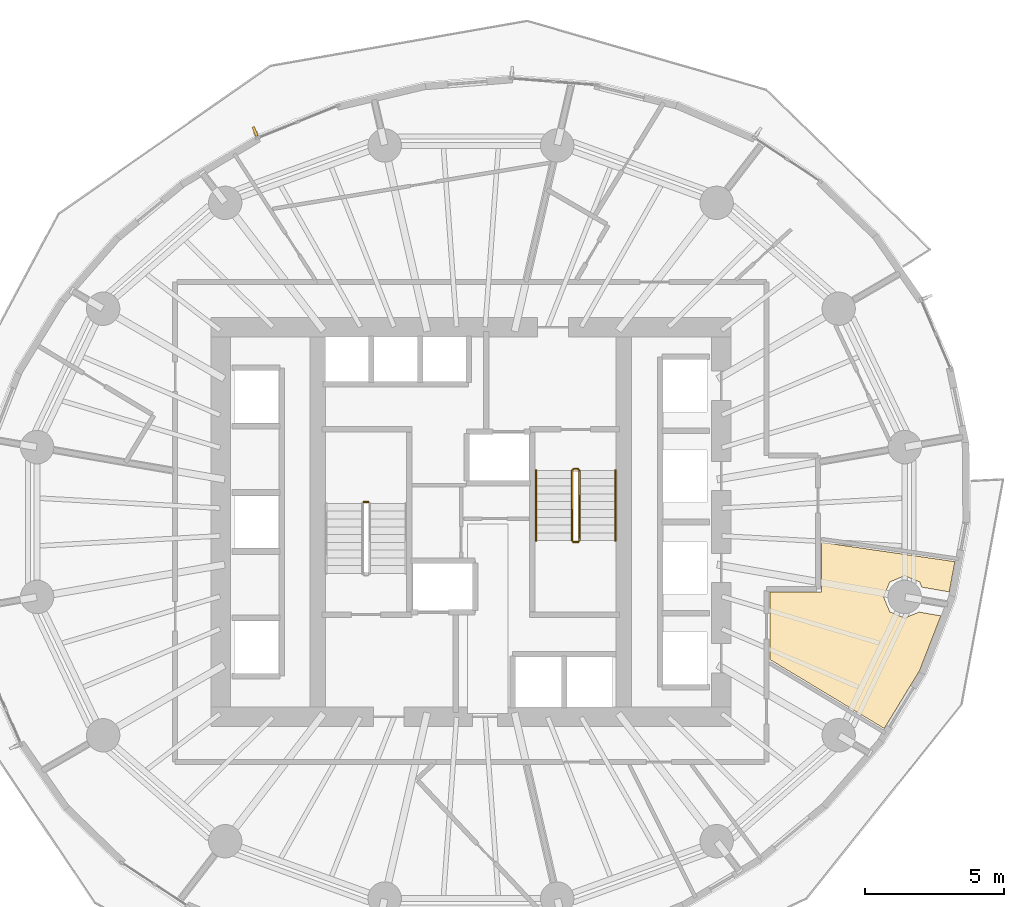
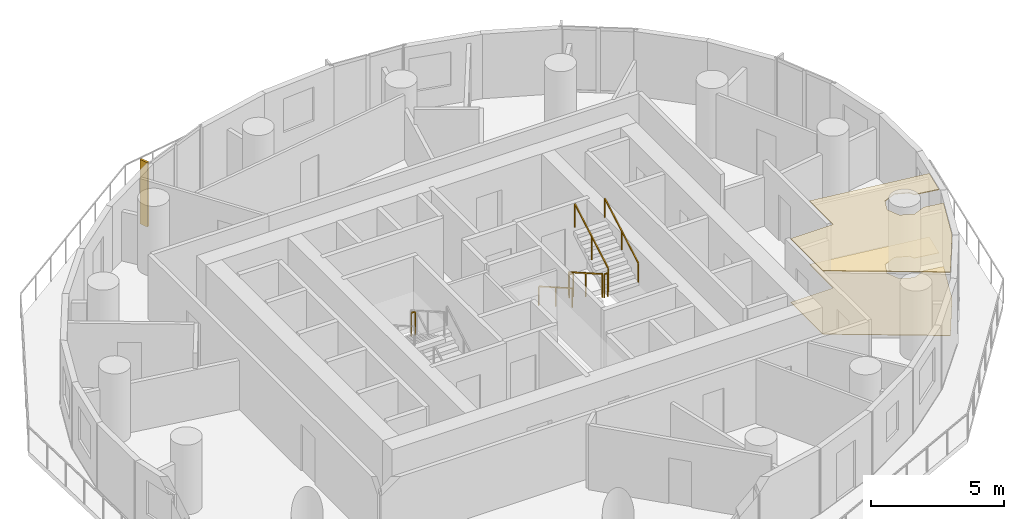
# One storey, part 13 of 14: 7 railings, 2 coverings, 1 shading device.
"""IFC4 building model written with IfcOpenShell, lengths in metres."""

from ifc_helpers import new_model, si_unit, direction, frame, origin, origin_2d, place, context, subcontext, project, spatial, polyline, rectangle, outline, extrude, material, layer, layer_set, type_object, element, save


model = new_model("IFC4")

# Units and contexts
model_context = context("Model", 3, precision=1e-05, world=origin(), true_north=direction((0.0, 1.0)))
body_context = subcontext(model_context, "Body", "Model", "MODEL_VIEW")
ifc_project = project(units=[si_unit("LENGTHUNIT", "METRE"), si_unit("AREAUNIT", "SQUARE_METRE"), si_unit("VOLUMEUNIT", "CUBIC_METRE"), si_unit("PLANEANGLEUNIT", "RADIAN"), si_unit("MASSUNIT", "GRAM", prefix="KILO")], contexts=[model_context])

# Site, building, storey
site_placement = place(None, origin())
site = spatial("IfcSite", under=ifc_project, at=site_placement, CompositionType="ELEMENT")
building_placement = place(site_placement, origin())
building = spatial("IfcBuilding", under=site, at=building_placement, Name="Veldorim Arch Residences", CompositionType="ELEMENT")
storey_placement = place(building_placement, frame((0.0, 0.0, 80.47998046875)))
storey = spatial("IfcBuildingStorey", under=building, at=storey_placement, Name="L23", CompositionType="ELEMENT", Elevation=80.47998046875)

# Railings
ifc_material_1 = material(Name="Steel S355", Category="steel")
railing_type_1 = type_object("IfcRailingType", Name="Galvanised Steel Stair Safety Guardrail 1100", PredefinedType="GUARDRAIL", material=ifc_material_1)
railing_1_placement = place(storey_placement, frame((28.31005859375, 24.719970703125, 1.60009765625)))
element("IfcRailing", 1, at=railing_1_placement, inside=storey, type_object=railing_type_1, Name="L23 ST-1 stair guard 2", PredefinedType="GUARDRAIL", context=body_context, shape_type="SweptSolid", body=[
    extrude(rectangle(XDim=0.048095703125, YDim=0.048095703125, at=origin_2d()), frame((0.0, 0.0, 1.076171875), z_axis=(-1.0, 0.0, 0.0), x_axis=(0.0, -1.0, 0.0)), (0.0, 0.0, 1.0), 0.16015625),
    extrude(rectangle(XDim=0.0419921875, YDim=0.0419921875, at=origin_2d()), origin(), (0.0, 0.0, 1.0), 1.052001953125),
    extrude(rectangle(XDim=0.0419921875, YDim=0.0419921875, at=origin_2d()), frame((-0.16015625, 0.0, 0.0)), (0.0, 0.0, 1.0), 1.052001953125),
])
railing_2_placement = place(storey_placement, frame((35.639892578125, 25.85009765625, 0.159912109375)))
element("IfcRailing", 2, at=railing_2_placement, inside=storey, type_object=railing_type_1, Name="L23 ST-2 stair guard 1", PredefinedType="GUARDRAIL", context=body_context, shape_type="SweptSolid", body=[
    extrude(rectangle(XDim=0.048095703125, YDim=0.048095703125, at=origin_2d()), frame((0.0, 0.0, 1.076171875), z_axis=(0.0, -0.868217259934, 0.496184229447), x_axis=(1.0, 0.0, 0.0)), (0.0, 0.0, 1.0), 2.902587890625),
    extrude(rectangle(XDim=0.0419921875, YDim=0.0419921875, at=origin_2d()), origin(), (0.0, 0.0, 1.0), 1.052001953125),
    extrude(rectangle(XDim=0.0419921875, YDim=0.0419921875, at=origin_2d()), frame((0.0, -1.260009765625, 0.72021484375)), (0.0, 0.0, 1.0), 1.052001953125),
    extrude(rectangle(XDim=0.0419921875, YDim=0.0419921875, at=origin_2d()), frame((0.0, -2.52001953125, 1.440185546875)), (0.0, 0.0, 1.0), 1.052001953125),
])
railing_3_placement = place(storey_placement, frame((35.68994140625, 23.280029296875, 1.60009765625)))
element("IfcRailing", 3, at=railing_3_placement, inside=storey, type_object=railing_type_1, Name="L23 ST-2 stair guard 2", PredefinedType="GUARDRAIL", context=body_context, shape_type="SweptSolid", body=[
    extrude(rectangle(XDim=0.048095703125, YDim=0.048095703125, at=origin_2d()), frame((0.0, 0.0, 1.076171875), z_axis=(1.0, 0.0, 0.0), x_axis=(0.0, 1.0, 0.0)), (0.0, 0.0, 1.0), 0.16015625),
    extrude(rectangle(XDim=0.0419921875, YDim=0.0419921875, at=origin_2d()), origin(), (0.0, 0.0, 1.0), 1.052001953125),
    extrude(rectangle(XDim=0.0419921875, YDim=0.0419921875, at=origin_2d()), frame((0.16015625, 0.0, 0.0)), (0.0, 0.0, 1.0), 1.052001953125),
])
railing_4_placement = place(storey_placement, frame((35.89990234375, 23.330078125, 1.760009765625)))
element("IfcRailing", 4, at=railing_4_placement, inside=storey, type_object=railing_type_1, Name="L23 ST-2 stair guard 3", PredefinedType="GUARDRAIL", context=body_context, shape_type="SweptSolid", body=[
    extrude(rectangle(XDim=0.048095703125, YDim=0.048095703125, at=origin_2d()), frame((0.0, 0.0, 1.076171875), z_axis=(0.0, 0.868253494771, 0.496120820787), x_axis=(-1.0, 0.0, 0.0)), (0.0, 0.0, 1.0), 2.90234375),
    extrude(rectangle(XDim=0.0419921875, YDim=0.0419921875, at=origin_2d()), origin(), (0.0, 0.0, 1.0), 1.052001953125),
    extrude(rectangle(XDim=0.0419921875, YDim=0.0419921875, at=origin_2d()), frame((0.0, 1.260009765625, 0.719970703125)), (0.0, 0.0, 1.0), 1.052001953125),
    extrude(rectangle(XDim=0.0419921875, YDim=0.0419921875, at=origin_2d()), frame((0.0, 2.52001953125, 1.43994140625)), (0.0, 0.0, 1.0), 1.052001953125),
])
railing_5_placement = place(storey_placement, frame((35.68994140625, 25.89990234375, 0.0)))
element("IfcRailing", 5, at=railing_5_placement, inside=storey, type_object=railing_type_1, Name="L23 ST-2 stair guard 4", PredefinedType="GUARDRAIL", context=body_context, shape_type="SweptSolid", body=[
    extrude(rectangle(XDim=0.048095703125, YDim=0.048095703125, at=origin_2d()), frame((0.0, 0.0, 1.076171875), z_axis=(1.0, 0.0, 0.0), x_axis=(0.0, 1.0, 0.0)), (0.0, 0.0, 1.0), 0.16015625),
    extrude(rectangle(XDim=0.0419921875, YDim=0.0419921875, at=origin_2d()), origin(), (0.0, 0.0, 1.0), 1.052001953125),
    extrude(rectangle(XDim=0.0419921875, YDim=0.0419921875, at=origin_2d()), frame((0.16015625, 0.0, 0.0)), (0.0, 0.0, 1.0), 1.052001953125),
])

# Coverings
ifc_material_2 = material(Name="Acoustic Gypsum & Mineral Fibre", Category="gypsum")
ifc_layer_1 = layer(ifc_material_2, 0.034912109375, Name="Perforated Acoustic Mineral-Fibre Ceiling 35")
ifc_layer_set_1 = layer_set([ifc_layer_1], Name="Acoustic Gypsum & Mineral Fibre")
covering_type_1 = type_object("IfcCoveringType", Name="Perforated Acoustic Mineral-Fibre Ceiling 35", PredefinedType="CEILING", material=ifc_layer_set_1)
covering_1_placement = place(storey_placement, frame((0.0, 0.0, 2.905029296875)))
element("IfcCovering", 6, at=covering_1_placement, inside=storey, type_object=covering_type_1, Name="L23 acoustic suspended ceiling 02", PredefinedType="CEILING", context=body_context, shape_type="SweptSolid", body=[
    extrude(outline(polyline([(48.89404296875, 20.626708984375), (48.130126953125, 18.662109375), (46.858154296875, 16.578125), (42.75, 19.056396484375), (42.75, 21.47998046875), (44.60009765625, 21.47998046875), (44.60009765625, 23.26953125), (49.3984375, 22.57568359375), (49.195068359375, 21.48828125), (48.209228515625, 21.658203125), (48.1318359375, 21.84521484375), (47.594482421875, 22.067626953125), (47.05712890625, 21.84521484375), (46.834716796875, 21.307861328125), (47.05712890625, 20.7705078125), (47.594482421875, 20.5478515625), (48.111083984375, 20.761962890625), (48.89404296875, 20.626708984375)])), origin(), (0.0, 0.0, 1.0), 0.034912109375),
])
ifc_material_3 = material(Name="Porcelain Ceramic Tile", Category="ceramic")
ifc_layer_2 = layer(ifc_material_3, 0.02001953125, Name="Slip-Resistant Porcelain & Vinyl Floor Finish 20")
ifc_layer_set_2 = layer_set([ifc_layer_2], Name="Porcelain Ceramic Tile")
covering_type_2 = type_object("IfcCoveringType", Name="Slip-Resistant Porcelain & Vinyl Floor Finish 20", PredefinedType="FLOORING", material=ifc_layer_set_2)
covering_2_placement = place(storey_placement, origin())
element("IfcCovering", 7, at=covering_2_placement, inside=storey, type_object=covering_type_2, Name="L23 porcelain floor finish 02", PredefinedType="FLOORING", context=body_context, shape_type="SweptSolid", body=[
    extrude(outline(polyline([(48.89404296875, 20.626708984375), (48.130126953125, 18.662109375), (46.858154296875, 16.578125), (42.75, 19.056396484375), (42.75, 21.47998046875), (44.60009765625, 21.47998046875), (44.60009765625, 23.26953125), (49.3984375, 22.57568359375), (49.195068359375, 21.48828125), (48.209228515625, 21.658203125), (48.1318359375, 21.84521484375), (47.594482421875, 22.067626953125), (47.05712890625, 21.84521484375), (46.834716796875, 21.307861328125), (47.05712890625, 20.7705078125), (47.594482421875, 20.5478515625), (48.111083984375, 20.761962890625), (48.89404296875, 20.626708984375)])), origin(), (0.0, 0.0, 1.0), 0.02001953125),
])

# Railings
ifc_material_4 = material(Name="Stainless Steel", Category="steel")
railing_type_2 = type_object("IfcRailingType", Name="Tubular Steel Continuous Wall Handrail 900", PredefinedType="HANDRAIL", material=ifc_material_4)
railing_6_placement = place(storey_placement, frame((34.340087890625, 25.85009765625, 0.159912109375)))
element("IfcRailing", 8, at=railing_6_placement, inside=storey, type_object=railing_type_2, Name="L23 ST-2 stair handrail 1", PredefinedType="HANDRAIL", context=body_context, shape_type="SweptSolid", body=[
    extrude(rectangle(XDim=0.048095703125, YDim=0.048095703125, at=origin_2d()), frame((0.0, 0.0, 0.8759765625), z_axis=(0.0, -0.868217259934, 0.496184229447), x_axis=(1.0, 0.0, 0.0)), (0.0, 0.0, 1.0), 2.902587890625),
    extrude(rectangle(XDim=0.0419921875, YDim=0.0419921875, at=origin_2d()), origin(), (0.0, 0.0, 1.0), 0.851806640625),
    extrude(rectangle(XDim=0.0419921875, YDim=0.0419921875, at=origin_2d()), frame((0.0, -1.260009765625, 0.72021484375)), (0.0, 0.0, 1.0), 0.851806640625),
    extrude(rectangle(XDim=0.0419921875, YDim=0.0419921875, at=origin_2d()), frame((0.0, -2.52001953125, 1.440185546875)), (0.0, 0.0, 1.0), 0.851806640625),
])
railing_7_placement = place(storey_placement, frame((37.199951171875, 23.330078125, 1.760009765625)))
element("IfcRailing", 9, at=railing_7_placement, inside=storey, type_object=railing_type_2, Name="L23 ST-2 stair handrail 2", PredefinedType="HANDRAIL", context=body_context, shape_type="SweptSolid", body=[
    extrude(rectangle(XDim=0.048095703125, YDim=0.048095703125, at=origin_2d()), frame((0.0, 0.0, 0.8759765625), z_axis=(0.0, 0.868253494771, 0.496120820787), x_axis=(-1.0, 0.0, 0.0)), (0.0, 0.0, 1.0), 2.90234375),
    extrude(rectangle(XDim=0.0419921875, YDim=0.0419921875, at=origin_2d()), origin(), (0.0, 0.0, 1.0), 0.851806640625),
    extrude(rectangle(XDim=0.0419921875, YDim=0.0419921875, at=origin_2d()), frame((0.0, 1.260009765625, 0.719970703125)), (0.0, 0.0, 1.0), 0.851806640625),
    extrude(rectangle(XDim=0.0419921875, YDim=0.0419921875, at=origin_2d()), frame((0.0, 2.52001953125, 1.43994140625)), (0.0, 0.0, 1.0), 0.851806640625),
])

# Shading device
ifc_material_5 = material(Name="Terracotta Ceramic", Category="masonry")
ifc_layer_3 = layer(ifc_material_5, 0.090087890625, Name="Vertical Extruded Terracotta Baguette Sun-Shading Fin")
ifc_layer_set_3 = layer_set([ifc_layer_3], Name="Terracotta Ceramic")
shading_device_type = type_object("IfcShadingDeviceType", Name="Vertical Extruded Terracotta Baguette Sun-Shading Fin", PredefinedType="USERDEFINED", material=ifc_layer_set_3)
shading_device_placement = place(storey_placement, frame((24.240478515625, 38.0380859375, 0.0), z_axis=(0.0, 0.0, 1.0), x_axis=(0.927314560446, 0.374282922379, 0.0)))
element("IfcShadingDevice", 10, at=shading_device_placement, inside=storey, type_object=shading_device_type, Name="L23 vertical terracotta sun-shading fin 10", ObjectType="FIN", PredefinedType="USERDEFINED", context=body_context, shape_type="SweptSolid", body=[
    extrude(rectangle(XDim=0.090087890625, YDim=0.360107421875, at=origin_2d()), origin(), (0.0, 0.0, 1.0), 2.9599609375),
])

save(model, "model.ifc")
